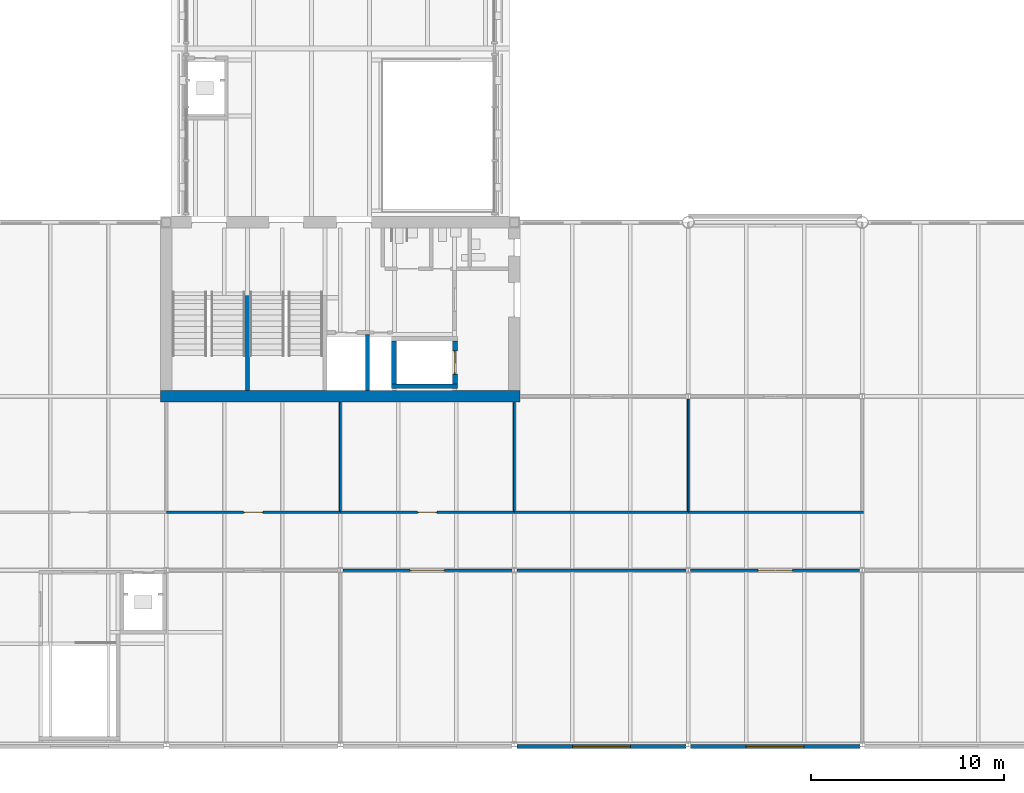
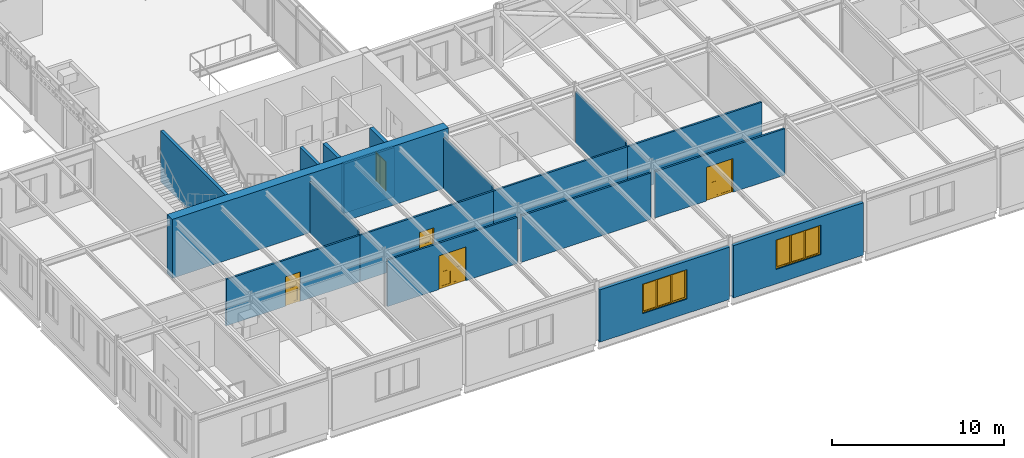
# One storey, part 61 of 123: 18 walls, 5 doors, 2 windows, 7 openings.
"""IFC4 building model written with IfcOpenShell, lengths in metres."""

from ifc_helpers import new_model, si_unit, direction, frame, frame_2d, origin, place, context, subcontext, project, spatial, polyline, rectangle, outline, extrude, material, layer, layer_set, type_object, element, fill, save


model = new_model("IFC4")

# Units and contexts
model_context = context("Model", 3, precision=1e-05, world=origin(), true_north=direction((0.0, 1.0)))
body_context = subcontext(model_context, "Body", "Model", "MODEL_VIEW")
ifc_project = project(units=[si_unit("LENGTHUNIT", "METRE"), si_unit("AREAUNIT", "SQUARE_METRE"), si_unit("VOLUMEUNIT", "CUBIC_METRE"), si_unit("PLANEANGLEUNIT", "RADIAN"), si_unit("MASSUNIT", "GRAM", prefix="KILO")], contexts=[model_context])

# Site, building, storey
site_placement = place(None, origin())
site = spatial("IfcSite", under=ifc_project, at=site_placement, CompositionType="ELEMENT")
building_placement = place(site_placement, origin())
building = spatial("IfcBuilding", under=site, at=building_placement, Name="Baradari Gate Terminus", CompositionType="ELEMENT")
storey_placement = place(building_placement, frame((0.0, 0.0, 7.5)))
storey = spatial("IfcBuildingStorey", under=building, at=storey_placement, Name="L01", CompositionType="ELEMENT", Elevation=7.5)

# Wall
ifc_material_1 = material(Name="Concrete C40/50", Category="concrete")
ifc_layer_1 = layer(ifc_material_1, 0.60009765625)
ifc_layer_set_1 = layer_set([ifc_layer_1], Name="Concrete C40/50")
wall_type_1 = type_object("IfcWallType", Name="Abutment core wall CWL04 600", PredefinedType="SOLIDWALL", material=ifc_layer_set_1)
wall_1_placement = place(storey_placement, frame((71.699951171875, 27.0, 0.0), z_axis=(0.0, 0.0, 1.0), x_axis=(1.0, 0.0, 0.0)))
element("IfcWall", 1, at=wall_1_placement, inside=storey, type_object=wall_type_1, Name="Abutment core wall GS S L01", PredefinedType="SOLIDWALL", context=body_context, shape_type="SweptSolid", body=[
    extrude(rectangle(XDim=18.60009765625, YDim=0.60009765625, at=frame_2d((9.300048828125, 0.0))), origin(), (0.0, 0.0, 1.0), 4.199951171875),
])

# Wall, opening, door
ifc_material_2 = material(Name="Gypsum board")
ifc_layer_2 = layer(ifc_material_2, 0.125)
ifc_layer_set_2 = layer_set([ifc_layer_2], Name="Gypsum board")
wall_type_2 = type_object("IfcWallType", Name="Corridor partition PT-5 125 EI 30", PredefinedType="PARTITIONING", material=ifc_layer_set_2)
wall_2_placement = place(storey_placement, frame((107.871826171875, 18.0, 0.0), z_axis=(0.0, 0.0, 1.0), x_axis=(-1.0, 0.0, 0.0)))
wall_2 = element("IfcWall", 2, at=wall_2_placement, inside=storey, type_object=wall_type_2, Name="PT-5 partition Corridor (Service Corridor South) / South Wing Lounge", PredefinedType="PARTITIONING", context=body_context, shape_type="SweptSolid", body=[
    extrude(rectangle(XDim=8.74365234375, YDim=0.125, at=frame_2d((4.371826171875, 0.0))), origin(), (0.0, 0.0, 1.0), 3.306884765625),
])
opening_1_placement = place(wall_2_placement, frame((3.471923828125, 0.0, 0.0)))
opening_1 = element("IfcOpeningElement", 3, at=opening_1_placement, cuts=wall_2, Name="Opening D01-082", PredefinedType="OPENING", context=body_context, shape_type="SweptSolid", body=[
    extrude(rectangle(XDim=1.800048828125, YDim=2.39990234375, at=frame_2d((0.89990234375, 1.199951171875))), frame((0.0, 0.072509765625, 0.0), z_axis=(0.0, -1.0, 0.0), x_axis=(1.0, 0.0, 0.0)), (0.0, 0.0, 1.0), 0.14501953125),
])
ifc_material_3 = material(Name="Steel S275", Category="steel")
door_type_1 = type_object("IfcDoorType", Name="Fire door FI-1800x2400-FD30S 1800x2400 FD30S", OperationType="DOUBLE_DOOR_SINGLE_SWING", PredefinedType="DOOR", material=ifc_material_3)
door_1_placement = place(opening_1_placement, frame((1.800048828125, 0.0, 0.0), z_axis=(0.0, 0.0, 1.0), x_axis=(-1.0, 0.0, 0.0)))
door_1 = element("IfcDoor", 4, at=door_1_placement, inside=storey, type_object=door_type_1, Name="Door South Wing Lounge", OperationType="DOUBLE_DOOR_SINGLE_SWING", OverallHeight=2.4, OverallWidth=1.8, PredefinedType="DOOR", context=body_context, shape_type="SweptSolid", body=[
    extrude(outline(polyline([(0.0, 0.0), (0.070068359375, 0.0), (0.070068359375, 2.329833984375), (1.72998046875, 2.329833984375), (1.72998046875, 0.0), (1.800048828125, 0.0), (1.800048828125, 2.39990234375), (0.0, 2.39990234375), (0.0, 0.0)])), frame((0.0, 0.02490234375, 0.0), z_axis=(0.0, -1.0, 0.0), x_axis=(1.0, 0.0, 0.0)), (0.0, 0.0, 1.0), 0.050048828125),
    extrude(outline(polyline([(0.073974609375, 0.010009765625), (0.89697265625, 0.010009765625), (0.89697265625, 2.325927734375), (0.073974609375, 2.325927734375), (0.073974609375, 0.010009765625)]), holes=[polyline([(0.194091796875, 0.159912109375), (0.77685546875, 0.159912109375), (0.77685546875, 1.010009765625), (0.194091796875, 1.010009765625), (0.194091796875, 0.159912109375)]), polyline([(0.33544921875, 1.159912109375), (0.635498046875, 1.159912109375), (0.635498046875, 1.760009765625), (0.33544921875, 1.760009765625), (0.33544921875, 1.159912109375)])]), frame((0.0, 0.017333984375, 0.0), z_axis=(0.0, -1.0, 0.0), x_axis=(1.0, 0.0, 0.0)), (0.0, 0.0, 1.0), 0.034912109375),
    extrude(rectangle(XDim=0.582763671875, YDim=0.85009765625, at=frame_2d((0.4853515625, 0.5849609375))), frame((0.0, 0.008544921875, 0.0), z_axis=(0.0, -1.0, 0.0), x_axis=(1.0, 0.0, 0.0)), (0.0, 0.0, 1.0), 0.017333984375),
    extrude(rectangle(XDim=0.300048828125, YDim=0.60009765625, at=frame_2d((0.4853515625, 1.4599609375))), frame((0.0, 0.005859375, 0.0), z_axis=(0.0, -1.0, 0.0), x_axis=(1.0, 0.0, 0.0)), (0.0, 0.0, 1.0), 0.011962890625),
    extrude(outline(polyline([(0.903076171875, 0.010009765625), (1.72607421875, 0.010009765625), (1.72607421875, 2.325927734375), (0.903076171875, 2.325927734375), (0.903076171875, 0.010009765625)]), holes=[polyline([(1.023193359375, 0.159912109375), (1.60595703125, 0.159912109375), (1.60595703125, 1.010009765625), (1.023193359375, 1.010009765625), (1.023193359375, 0.159912109375)]), polyline([(1.16455078125, 1.159912109375), (1.464599609375, 1.159912109375), (1.464599609375, 1.760009765625), (1.16455078125, 1.760009765625), (1.16455078125, 1.159912109375)])]), frame((0.0, 0.017333984375, 0.0), z_axis=(0.0, -1.0, 0.0), x_axis=(1.0, 0.0, 0.0)), (0.0, 0.0, 1.0), 0.034912109375),
    extrude(rectangle(XDim=0.582763671875, YDim=0.85009765625, at=frame_2d((1.314453125, 0.5849609375))), frame((0.0, 0.008544921875, 0.0), z_axis=(0.0, -1.0, 0.0), x_axis=(1.0, 0.0, 0.0)), (0.0, 0.0, 1.0), 0.017333984375),
    extrude(rectangle(XDim=0.300048828125, YDim=0.60009765625, at=frame_2d((1.314453125, 1.4599609375))), frame((0.0, 0.005859375, 0.0), z_axis=(0.0, -1.0, 0.0), x_axis=(1.0, 0.0, 0.0)), (0.0, 0.0, 1.0), 0.011962890625),
])
fill(opening_1, door_1)

# Wall
wall_3_placement = place(storey_placement, frame((98.871826171875, 18.0, 0.0), z_axis=(0.0, 0.0, 1.0), x_axis=(-1.0, 0.0, 0.0)))
element("IfcWall", 5, at=wall_3_placement, inside=storey, type_object=wall_type_2, Name="PT-5 partition Corridor (Service Corridor South) / South Wing Lounge", PredefinedType="PARTITIONING", context=body_context, shape_type="SweptSolid", body=[
    extrude(rectangle(XDim=8.74365234375, YDim=0.125, at=frame_2d((4.371826171875, 0.0))), origin(), (0.0, 0.0, 1.0), 3.306884765625),
])

# Wall, opening, door
wall_4_placement = place(storey_placement, frame((89.871826171875, 18.0, 0.0), z_axis=(0.0, 0.0, 1.0), x_axis=(-1.0, 0.0, 0.0)))
wall_4 = element("IfcWall", 6, at=wall_4_placement, inside=storey, type_object=wall_type_2, Name="PT-5 partition Corridor (Service Corridor South) / South Wing Lounge", PredefinedType="PARTITIONING", context=body_context, shape_type="SweptSolid", body=[
    extrude(rectangle(XDim=8.74365234375, YDim=0.125, at=frame_2d((4.371826171875, 0.0))), origin(), (0.0, 0.0, 1.0), 3.306884765625),
])
opening_2_placement = place(wall_4_placement, frame((3.471923828125, 0.0, 0.0)))
opening_2 = element("IfcOpeningElement", 7, at=opening_2_placement, cuts=wall_4, Name="Opening D01-081", PredefinedType="OPENING", context=body_context, shape_type="SweptSolid", body=[
    extrude(rectangle(XDim=1.800048828125, YDim=2.39990234375, at=frame_2d((0.89990234375, 1.199951171875))), frame((0.0, 0.072509765625, 0.0), z_axis=(0.0, -1.0, 0.0), x_axis=(1.0, 0.0, 0.0)), (0.0, 0.0, 1.0), 0.14501953125),
])
door_2_placement = place(opening_2_placement, frame((1.800048828125, 0.0, 0.0), z_axis=(0.0, 0.0, 1.0), x_axis=(-1.0, 0.0, 0.0)))
door_2 = element("IfcDoor", 8, at=door_2_placement, inside=storey, type_object=door_type_1, Name="Door South Wing Lounge", OperationType="DOUBLE_DOOR_SINGLE_SWING", OverallHeight=2.4, OverallWidth=1.8, PredefinedType="DOOR", context=body_context, shape_type="SweptSolid", body=[
    extrude(outline(polyline([(0.0, 0.0), (0.070068359375, 0.0), (0.070068359375, 2.329833984375), (1.72998046875, 2.329833984375), (1.72998046875, 0.0), (1.800048828125, 0.0), (1.800048828125, 2.39990234375), (0.0, 2.39990234375), (0.0, 0.0)])), frame((0.0, 0.02490234375, 0.0), z_axis=(0.0, -1.0, 0.0), x_axis=(1.0, 0.0, 0.0)), (0.0, 0.0, 1.0), 0.050048828125),
    extrude(outline(polyline([(0.073974609375, 0.010009765625), (0.89697265625, 0.010009765625), (0.89697265625, 2.325927734375), (0.073974609375, 2.325927734375), (0.073974609375, 0.010009765625)]), holes=[polyline([(0.194091796875, 0.159912109375), (0.77685546875, 0.159912109375), (0.77685546875, 1.010009765625), (0.194091796875, 1.010009765625), (0.194091796875, 0.159912109375)]), polyline([(0.33544921875, 1.159912109375), (0.635498046875, 1.159912109375), (0.635498046875, 1.760009765625), (0.33544921875, 1.760009765625), (0.33544921875, 1.159912109375)])]), frame((0.0, 0.017333984375, 0.0), z_axis=(0.0, -1.0, 0.0), x_axis=(1.0, 0.0, 0.0)), (0.0, 0.0, 1.0), 0.034912109375),
    extrude(rectangle(XDim=0.582763671875, YDim=0.85009765625, at=frame_2d((0.4853515625, 0.5849609375))), frame((0.0, 0.008544921875, 0.0), z_axis=(0.0, -1.0, 0.0), x_axis=(1.0, 0.0, 0.0)), (0.0, 0.0, 1.0), 0.017333984375),
    extrude(rectangle(XDim=0.300048828125, YDim=0.60009765625, at=frame_2d((0.4853515625, 1.4599609375))), frame((0.0, 0.005859375, 0.0), z_axis=(0.0, -1.0, 0.0), x_axis=(1.0, 0.0, 0.0)), (0.0, 0.0, 1.0), 0.011962890625),
    extrude(outline(polyline([(0.903076171875, 0.010009765625), (1.72607421875, 0.010009765625), (1.72607421875, 2.325927734375), (0.903076171875, 2.325927734375), (0.903076171875, 0.010009765625)]), holes=[polyline([(1.023193359375, 0.159912109375), (1.60595703125, 0.159912109375), (1.60595703125, 1.010009765625), (1.023193359375, 1.010009765625), (1.023193359375, 0.159912109375)]), polyline([(1.16455078125, 1.159912109375), (1.464599609375, 1.159912109375), (1.464599609375, 1.760009765625), (1.16455078125, 1.760009765625), (1.16455078125, 1.159912109375)])]), frame((0.0, 0.017333984375, 0.0), z_axis=(0.0, -1.0, 0.0), x_axis=(1.0, 0.0, 0.0)), (0.0, 0.0, 1.0), 0.034912109375),
    extrude(rectangle(XDim=0.582763671875, YDim=0.85009765625, at=frame_2d((1.314453125, 0.5849609375))), frame((0.0, 0.008544921875, 0.0), z_axis=(0.0, -1.0, 0.0), x_axis=(1.0, 0.0, 0.0)), (0.0, 0.0, 1.0), 0.017333984375),
    extrude(rectangle(XDim=0.300048828125, YDim=0.60009765625, at=frame_2d((1.314453125, 1.4599609375))), frame((0.0, 0.005859375, 0.0), z_axis=(0.0, -1.0, 0.0), x_axis=(1.0, 0.0, 0.0)), (0.0, 0.0, 1.0), 0.011962890625),
])
fill(opening_2, door_2)

# Walls
wall_5_placement = place(storey_placement, frame((90.0, 21.0, 0.0), z_axis=(0.0, 0.0, 1.0), x_axis=(1.0, 0.0, 0.0)))
element("IfcWall", 9, at=wall_5_placement, inside=storey, type_object=wall_type_2, Name="PT-5 partition Corridor (Service Corridor South) / South Wing Office 3", PredefinedType="PARTITIONING", context=body_context, shape_type="SweptSolid", body=[
    extrude(rectangle(XDim=9.0, YDim=0.125, at=frame_2d((4.5, 0.0))), origin(), (0.0, 0.0, 1.0), 3.306884765625),
])
wall_6_placement = place(storey_placement, frame((99.0, 21.0, 0.0), z_axis=(0.0, 0.0, 1.0), x_axis=(1.0, 0.0, 0.0)))
element("IfcWall", 10, at=wall_6_placement, inside=storey, type_object=wall_type_2, Name="PT-5 partition Corridor (Service Corridor South) / South Wing Office 4", PredefinedType="PARTITIONING", context=body_context, shape_type="SweptSolid", body=[
    extrude(rectangle(XDim=9.0625, YDim=0.125, at=frame_2d((4.53125, 0.0))), origin(), (0.0, 0.0, 1.0), 3.306884765625),
])

# Wall, opening, door
wall_7_placement = place(storey_placement, frame((81.0, 21.0, 0.0), z_axis=(0.0, 0.0, 1.0), x_axis=(1.0, 0.0, 0.0)))
wall_7 = element("IfcWall", 11, at=wall_7_placement, inside=storey, type_object=wall_type_2, Name="PT-5 partition Corridor (Service Corridor South) / South Wing Office 2", PredefinedType="PARTITIONING", context=body_context, shape_type="SweptSolid", body=[
    extrude(rectangle(XDim=9.0, YDim=0.125, at=frame_2d((4.5, 0.0))), origin(), (0.0, 0.0, 1.0), 3.306884765625),
])
opening_3_placement = place(wall_7_placement, frame((4.0, 0.0, 0.0)))
opening_3 = element("IfcOpeningElement", 12, at=opening_3_placement, cuts=wall_7, Name="Opening D01-071", PredefinedType="OPENING", context=body_context, shape_type="SweptSolid", body=[
    extrude(rectangle(XDim=1.0, YDim=2.10009765625, at=frame_2d((0.5, 1.050048828125))), frame((0.0, 0.072509765625, 0.0), z_axis=(0.0, -1.0, 0.0), x_axis=(1.0, 0.0, 0.0)), (0.0, 0.0, 1.0), 0.14501953125),
])
ifc_material_4 = material(Name="Steel S275", Category="steel")
door_type_2 = type_object("IfcDoorType", Name="Fire door FI-1000-FD30S 1000x2100 FD30S", OperationType="SINGLE_SWING_LEFT", PredefinedType="DOOR", material=ifc_material_4)
door_3_placement = place(opening_3_placement, origin())
door_3 = element("IfcDoor", 13, at=door_3_placement, inside=storey, type_object=door_type_2, Name="Door South Wing Office 2", OperationType="SINGLE_SWING_LEFT", OverallHeight=2.1, OverallWidth=1.0, PredefinedType="DOOR", context=body_context, shape_type="SweptSolid", body=[
    extrude(outline(polyline([(0.0, 0.0), (0.070068359375, 0.0), (0.070068359375, 2.030029296875), (0.929931640625, 2.030029296875), (0.929931640625, 0.0), (1.0, 0.0), (1.0, 2.10009765625), (0.0, 2.10009765625), (0.0, 0.0)])), frame((0.0, 0.02490234375, 0.0), z_axis=(0.0, -1.0, 0.0), x_axis=(1.0, 0.0, 0.0)), (0.0, 0.0, 1.0), 0.050048828125),
    extrude(outline(polyline([(0.073974609375, 0.010009765625), (0.926025390625, 0.010009765625), (0.926025390625, 2.026123046875), (0.073974609375, 2.026123046875), (0.073974609375, 0.010009765625)]), holes=[polyline([(0.194091796875, 0.159912109375), (0.805908203125, 0.159912109375), (0.805908203125, 1.010009765625), (0.194091796875, 1.010009765625), (0.194091796875, 0.159912109375)]), polyline([(0.35009765625, 1.159912109375), (0.64990234375, 1.159912109375), (0.64990234375, 1.760009765625), (0.35009765625, 1.760009765625), (0.35009765625, 1.159912109375)])]), frame((0.0, 0.017333984375, 0.0), z_axis=(0.0, -1.0, 0.0), x_axis=(1.0, 0.0, 0.0)), (0.0, 0.0, 1.0), 0.034912109375),
    extrude(rectangle(XDim=0.61181640625, YDim=0.85009765625, at=frame_2d((0.5, 0.5849609375))), frame((0.0, 0.008544921875, 0.0), z_axis=(0.0, -1.0, 0.0), x_axis=(1.0, 0.0, 0.0)), (0.0, 0.0, 1.0), 0.017333984375),
    extrude(rectangle(XDim=0.2998046875, YDim=0.60009765625, at=frame_2d((0.5, 1.4599609375))), frame((0.0, 0.005859375, 0.0), z_axis=(0.0, -1.0, 0.0), x_axis=(1.0, 0.0, 0.0)), (0.0, 0.0, 1.0), 0.011962890625),
])
fill(opening_3, door_3)

wall_8_placement = place(storey_placement, frame((72.0, 21.0, 0.0), z_axis=(0.0, 0.0, 1.0), x_axis=(1.0, 0.0, 0.0)))
wall_8 = element("IfcWall", 14, at=wall_8_placement, inside=storey, type_object=wall_type_2, Name="PT-5 partition Corridor (Service Corridor South) / South Wing Office 1", PredefinedType="PARTITIONING", context=body_context, shape_type="SweptSolid", body=[
    extrude(rectangle(XDim=9.0, YDim=0.125, at=frame_2d((4.5, 0.0))), origin(), (0.0, 0.0, 1.0), 3.306884765625),
])
opening_4_placement = place(wall_8_placement, frame((4.0, 0.0, 0.0)))
opening_4 = element("IfcOpeningElement", 15, at=opening_4_placement, cuts=wall_8, Name="Opening D01-070", PredefinedType="OPENING", context=body_context, shape_type="SweptSolid", body=[
    extrude(rectangle(XDim=1.0, YDim=2.10009765625, at=frame_2d((0.5, 1.050048828125))), frame((0.0, 0.072509765625, 0.0), z_axis=(0.0, -1.0, 0.0), x_axis=(1.0, 0.0, 0.0)), (0.0, 0.0, 1.0), 0.14501953125),
])
door_4_placement = place(opening_4_placement, origin())
door_4 = element("IfcDoor", 16, at=door_4_placement, inside=storey, type_object=door_type_2, Name="Door South Wing Office 1", OperationType="SINGLE_SWING_LEFT", OverallHeight=2.1, OverallWidth=1.0, PredefinedType="DOOR", context=body_context, shape_type="SweptSolid", body=[
    extrude(outline(polyline([(0.0, 0.0), (0.070068359375, 0.0), (0.070068359375, 2.030029296875), (0.929931640625, 2.030029296875), (0.929931640625, 0.0), (1.0, 0.0), (1.0, 2.10009765625), (0.0, 2.10009765625), (0.0, 0.0)])), frame((0.0, 0.02490234375, 0.0), z_axis=(0.0, -1.0, 0.0), x_axis=(1.0, 0.0, 0.0)), (0.0, 0.0, 1.0), 0.050048828125),
    extrude(outline(polyline([(0.073974609375, 0.010009765625), (0.926025390625, 0.010009765625), (0.926025390625, 2.026123046875), (0.073974609375, 2.026123046875), (0.073974609375, 0.010009765625)]), holes=[polyline([(0.194091796875, 0.159912109375), (0.805908203125, 0.159912109375), (0.805908203125, 1.010009765625), (0.194091796875, 1.010009765625), (0.194091796875, 0.159912109375)]), polyline([(0.35009765625, 1.159912109375), (0.64990234375, 1.159912109375), (0.64990234375, 1.760009765625), (0.35009765625, 1.760009765625), (0.35009765625, 1.159912109375)])]), frame((0.0, 0.017333984375, 0.0), z_axis=(0.0, -1.0, 0.0), x_axis=(1.0, 0.0, 0.0)), (0.0, 0.0, 1.0), 0.034912109375),
    extrude(rectangle(XDim=0.61181640625, YDim=0.85009765625, at=frame_2d((0.5, 0.5849609375))), frame((0.0, 0.008544921875, 0.0), z_axis=(0.0, -1.0, 0.0), x_axis=(1.0, 0.0, 0.0)), (0.0, 0.0, 1.0), 0.017333984375),
    extrude(rectangle(XDim=0.2998046875, YDim=0.60009765625, at=frame_2d((0.5, 1.4599609375))), frame((0.0, 0.005859375, 0.0), z_axis=(0.0, -1.0, 0.0), x_axis=(1.0, 0.0, 0.0)), (0.0, 0.0, 1.0), 0.011962890625),
])
fill(opening_4, door_4)

# Walls
ifc_material_5 = material(Name="Concrete C32/40", Category="concrete")
ifc_layer_3 = layer(ifc_material_5, 0.25)
ifc_layer_set_3 = layer_set([ifc_layer_3], Name="Concrete C32/40")
wall_type_3 = type_object("IfcWallType", Name="Firefighting lift shaft wall SH-2 250 EI 120", PredefinedType="SOLIDWALL", material=ifc_layer_set_3)
wall_9_placement = place(storey_placement, frame((83.64990234375, 27.52490234375, 0.0), z_axis=(0.0, 0.0, 1.0), x_axis=(1.0, 0.0, 0.0)))
element("IfcWall", 17, at=wall_9_placement, inside=storey, type_object=wall_type_3, Name="Lift shaft wall LGS2 L01 S", PredefinedType="SOLIDWALL", context=body_context, shape_type="SweptSolid", body=[
    extrude(rectangle(XDim=3.400146484375, YDim=0.25, at=frame_2d((1.7001953125, 0.0))), origin(), (0.0, 0.0, 1.0), 3.51611328125),
])
wall_10_placement = place(storey_placement, frame((83.77490234375, 27.64990234375, 0.0), z_axis=(0.0, 0.0, 1.0), x_axis=(0.0, 1.0, 0.0)))
element("IfcWall", 18, at=wall_10_placement, inside=storey, type_object=wall_type_3, Name="Lift shaft wall LGS2 L01 W", PredefinedType="SOLIDWALL", context=body_context, shape_type="SweptSolid", body=[
    extrude(rectangle(XDim=2.2001953125, YDim=0.25, at=frame_2d((1.10009765625, 0.0))), origin(), (0.0, 0.0, 1.0), 3.51611328125),
])

# Wall, opening, door
wall_11_placement = place(storey_placement, frame((86.925048828125, 27.64990234375, 0.0), z_axis=(0.0, 0.0, 1.0), x_axis=(0.0, 1.0, 0.0)))
wall_11 = element("IfcWall", 19, at=wall_11_placement, inside=storey, type_object=wall_type_3, Name="Lift shaft wall LGS2 L01 E", PredefinedType="SOLIDWALL", context=body_context, shape_type="SweptSolid", body=[
    extrude(rectangle(XDim=2.2001953125, YDim=0.25, at=frame_2d((1.10009765625, 0.0))), origin(), (0.0, 0.0, 1.0), 3.51611328125),
])
opening_5_placement = place(wall_11_placement, frame((0.5, 0.0, 0.0)))
opening_5 = element("IfcOpeningElement", 20, at=opening_5_placement, cuts=wall_11, Name="Opening D01-004", PredefinedType="OPENING", context=body_context, shape_type="SweptSolid", body=[
    extrude(rectangle(XDim=1.199951171875, YDim=2.10009765625, at=frame_2d((0.60009765625, 1.050048828125))), frame((0.0, 0.135009765625, 0.0), z_axis=(0.0, -1.0, 0.0), x_axis=(1.0, 0.0, 0.0)), (0.0, 0.0, 1.0), 0.27001953125),
])
ifc_material_6 = material(Name="Stainless steel 1.4301", Category="steel")
door_type_3 = type_object("IfcDoorType", Name="Lift landing door LD2 1200x2100 E 120", OperationType="SLIDING_TO_LEFT", PredefinedType="DOOR", material=ifc_material_6)
door_5_placement = place(opening_5_placement, origin())
door_5 = element("IfcDoor", 21, at=door_5_placement, inside=storey, type_object=door_type_3, Name="Lift landing door LGS2 L01", OperationType="SLIDING_TO_LEFT", OverallHeight=2.1, OverallWidth=1.2, PredefinedType="DOOR", context=body_context, shape_type="SweptSolid", body=[
    extrude(outline(polyline([(0.0, 0.0), (0.070068359375, 0.0), (0.070068359375, 2.030029296875), (1.1298828125, 2.030029296875), (1.1298828125, 0.0), (1.199951171875, 0.0), (1.199951171875, 2.10009765625), (0.0, 2.10009765625), (0.0, 0.0)])), frame((0.0, 0.02490234375, 0.0), z_axis=(0.0, -1.0, 0.0), x_axis=(1.0, 0.0, 0.0)), (0.0, 0.0, 1.0), 0.050048828125),
    extrude(rectangle(XDim=0.57861328125, YDim=2.01611328125, at=frame_2d((0.36328125, 1.01806640625))), frame((0.0, 0.017822265625, 0.0), z_axis=(0.0, -1.0, 0.0), x_axis=(1.0, 0.0, 0.0)), (0.0, 0.0, 1.0), 0.015869140625),
    extrude(rectangle(XDim=0.57470703125, YDim=2.01611328125, at=frame_2d((0.838623046875, 1.01806640625))), frame((0.0, -0.002197265625, 0.0), z_axis=(0.0, -1.0, 0.0), x_axis=(1.0, 0.0, 0.0)), (0.0, 0.0, 1.0), 0.015869140625),
])
fill(opening_5, door_5)

# Wall, opening, window
ifc_material_7 = material(Name="Light ochre laterite masonry", Category="masonry")
ifc_layer_4 = layer(ifc_material_7, 0.219970703125)
ifc_layer_set_4 = layer_set([ifc_layer_4], Name="Light ochre laterite masonry")
wall_type_4 = type_object("IfcWallType", Name="Laterite masonry wall WP-2 220", PredefinedType="SOLIDWALL", material=ifc_layer_set_4)
wall_12_placement = place(storey_placement, frame((90.127197265625, 8.880126953125, -0.1298828125), z_axis=(0.0, 0.0, 1.0), x_axis=(1.0, 0.0, 0.0)))
wall_12 = element("IfcWall", 22, at=wall_12_placement, inside=storey, type_object=wall_type_4, Name="south front wall SS bay 11 L01", PredefinedType="SOLIDWALL", context=body_context, shape_type="SweptSolid", body=[
    extrude(rectangle(XDim=8.74560546875, YDim=0.219970703125, at=frame_2d((4.372802734375, 0.0))), origin(), (0.0, 0.0, 1.0), 3.7265625),
])
opening_6_placement = place(wall_12_placement, frame((2.872802734375, 0.0, 1.030029296875)))
opening_6 = element("IfcOpeningElement", 23, at=opening_6_placement, cuts=wall_12, Name="Opening W5", PredefinedType="OPENING", context=body_context, shape_type="SweptSolid", body=[
    extrude(rectangle(XDim=3.0, YDim=2.10009765625, at=frame_2d((1.5, 1.050048828125))), frame((0.0, 0.119873046875, 0.0), z_axis=(0.0, -1.0, 0.0), x_axis=(1.0, 0.0, 0.0)), (0.0, 0.0, 1.0), 0.239990234375),
])
ifc_material_8 = material(Name="Aluminium 6063-T6", Category="aluminium")
window_type = type_object("IfcWindowType", Name="Wide window, 4-light W5 3000x2100", PartitioningType="TRIPLE_PANEL_VERTICAL", PredefinedType="WINDOW", material=ifc_material_8)
window_1_placement = place(opening_6_placement, origin())
window_1 = element("IfcWindow", 24, at=window_1_placement, inside=storey, type_object=window_type, Name="Window W5 SS/10", OverallHeight=2.1, OverallWidth=3.0, PartitioningType="TRIPLE_PANEL_VERTICAL", PredefinedType="WINDOW", context=body_context, shape_type="SweptSolid", body=[
    extrude(outline(polyline([(0.0, 0.0), (3.0, 0.0), (3.0, 2.10009765625), (0.0, 2.10009765625), (0.0, 0.0)]), holes=[polyline([(0.070068359375, 0.070068359375), (2.929931640625, 0.070068359375), (2.929931640625, 2.030029296875), (0.070068359375, 2.030029296875), (0.070068359375, 0.070068359375)])]), frame((0.0, 0.030029296875, 0.0), z_axis=(0.0, -1.0, 0.0), x_axis=(1.0, 0.0, 0.0)), (0.0, 0.0, 1.0), 0.06005859375),
    extrude(rectangle(XDim=0.0400390625, YDim=1.9599609375, at=frame_2d((1.0166015625, 1.050048828125))), frame((0.0, 0.02197265625, 0.0), z_axis=(0.0, -1.0, 0.0), x_axis=(1.0, 0.0, 0.0)), (0.0, 0.0, 1.0), 0.0439453125),
    extrude(rectangle(XDim=0.0400390625, YDim=1.9599609375, at=frame_2d((1.9833984375, 1.050048828125))), frame((0.0, 0.02197265625, 0.0), z_axis=(0.0, -1.0, 0.0), x_axis=(1.0, 0.0, 0.0)), (0.0, 0.0, 1.0), 0.0439453125),
    extrude(outline(polyline([(0.070068359375, 0.070068359375), (0.99658203125, 0.070068359375), (0.99658203125, 2.030029296875), (0.070068359375, 2.030029296875), (0.070068359375, 0.070068359375)]), holes=[polyline([(0.10009765625, 0.10009765625), (0.966552734375, 0.10009765625), (0.966552734375, 2.0), (0.10009765625, 2.0), (0.10009765625, 0.10009765625)])]), frame((0.0, 0.0224609375, 0.0), z_axis=(0.0, -1.0, 0.0), x_axis=(1.0, 0.0, 0.0)), (0.0, 0.0, 1.0), 0.044921875),
    extrude(rectangle(XDim=0.866455078125, YDim=1.89990234375, at=frame_2d((0.533203125, 1.050048828125))), frame((0.0, 0.006103515625, 0.0), z_axis=(0.0, -1.0, 0.0), x_axis=(1.0, 0.0, 0.0)), (0.0, 0.0, 1.0), 0.01220703125),
    extrude(outline(polyline([(1.03662109375, 0.070068359375), (1.96337890625, 0.070068359375), (1.96337890625, 2.030029296875), (1.03662109375, 2.030029296875), (1.03662109375, 0.070068359375)]), holes=[polyline([(1.066650390625, 0.10009765625), (1.933349609375, 0.10009765625), (1.933349609375, 2.0), (1.066650390625, 2.0), (1.066650390625, 0.10009765625)])]), frame((0.0, 0.0224609375, 0.0), z_axis=(0.0, -1.0, 0.0), x_axis=(1.0, 0.0, 0.0)), (0.0, 0.0, 1.0), 0.044921875),
    extrude(rectangle(XDim=0.86669921875, YDim=1.89990234375, at=frame_2d((1.5, 1.050048828125))), frame((0.0, 0.006103515625, 0.0), z_axis=(0.0, -1.0, 0.0), x_axis=(1.0, 0.0, 0.0)), (0.0, 0.0, 1.0), 0.01220703125),
    extrude(outline(polyline([(2.00341796875, 0.070068359375), (2.929931640625, 0.070068359375), (2.929931640625, 2.030029296875), (2.00341796875, 2.030029296875), (2.00341796875, 0.070068359375)]), holes=[polyline([(2.033447265625, 0.10009765625), (2.89990234375, 0.10009765625), (2.89990234375, 2.0), (2.033447265625, 2.0), (2.033447265625, 0.10009765625)])]), frame((0.0, 0.0224609375, 0.0), z_axis=(0.0, -1.0, 0.0), x_axis=(1.0, 0.0, 0.0)), (0.0, 0.0, 1.0), 0.044921875),
    extrude(rectangle(XDim=0.866455078125, YDim=1.89990234375, at=frame_2d((2.466796875, 1.050048828125))), frame((0.0, 0.006103515625, 0.0), z_axis=(0.0, -1.0, 0.0), x_axis=(1.0, 0.0, 0.0)), (0.0, 0.0, 1.0), 0.01220703125),
])
fill(opening_6, window_1)

wall_13_placement = place(storey_placement, frame((99.127197265625, 8.880126953125, -0.1298828125), z_axis=(0.0, 0.0, 1.0), x_axis=(1.0, 0.0, 0.0)))
wall_13 = element("IfcWall", 25, at=wall_13_placement, inside=storey, type_object=wall_type_4, Name="south front wall SS bay 12 L01", PredefinedType="SOLIDWALL", context=body_context, shape_type="SweptSolid", body=[
    extrude(rectangle(XDim=8.74560546875, YDim=0.219970703125, at=frame_2d((4.372802734375, 0.0))), origin(), (0.0, 0.0, 1.0), 3.7265625),
])
opening_7_placement = place(wall_13_placement, frame((2.872802734375, 0.0, 1.030029296875)))
opening_7 = element("IfcOpeningElement", 26, at=opening_7_placement, cuts=wall_13, Name="Opening W5", PredefinedType="OPENING", context=body_context, shape_type="SweptSolid", body=[
    extrude(rectangle(XDim=3.0, YDim=2.10009765625, at=frame_2d((1.5, 1.050048828125))), frame((0.0, 0.119873046875, 0.0), z_axis=(0.0, -1.0, 0.0), x_axis=(1.0, 0.0, 0.0)), (0.0, 0.0, 1.0), 0.239990234375),
])
window_2_placement = place(opening_7_placement, origin())
window_2 = element("IfcWindow", 27, at=window_2_placement, inside=storey, type_object=window_type, Name="Window W5 SS/11", OverallHeight=2.1, OverallWidth=3.0, PartitioningType="TRIPLE_PANEL_VERTICAL", PredefinedType="WINDOW", context=body_context, shape_type="SweptSolid", body=[
    extrude(outline(polyline([(0.0, 0.0), (3.0, 0.0), (3.0, 2.10009765625), (0.0, 2.10009765625), (0.0, 0.0)]), holes=[polyline([(0.070068359375, 0.070068359375), (2.929931640625, 0.070068359375), (2.929931640625, 2.030029296875), (0.070068359375, 2.030029296875), (0.070068359375, 0.070068359375)])]), frame((0.0, 0.030029296875, 0.0), z_axis=(0.0, -1.0, 0.0), x_axis=(1.0, 0.0, 0.0)), (0.0, 0.0, 1.0), 0.06005859375),
    extrude(rectangle(XDim=0.0400390625, YDim=1.9599609375, at=frame_2d((1.0166015625, 1.050048828125))), frame((0.0, 0.02197265625, 0.0), z_axis=(0.0, -1.0, 0.0), x_axis=(1.0, 0.0, 0.0)), (0.0, 0.0, 1.0), 0.0439453125),
    extrude(rectangle(XDim=0.0400390625, YDim=1.9599609375, at=frame_2d((1.9833984375, 1.050048828125))), frame((0.0, 0.02197265625, 0.0), z_axis=(0.0, -1.0, 0.0), x_axis=(1.0, 0.0, 0.0)), (0.0, 0.0, 1.0), 0.0439453125),
    extrude(outline(polyline([(0.070068359375, 0.070068359375), (0.99658203125, 0.070068359375), (0.99658203125, 2.030029296875), (0.070068359375, 2.030029296875), (0.070068359375, 0.070068359375)]), holes=[polyline([(0.10009765625, 0.10009765625), (0.966552734375, 0.10009765625), (0.966552734375, 2.0), (0.10009765625, 2.0), (0.10009765625, 0.10009765625)])]), frame((0.0, 0.0224609375, 0.0), z_axis=(0.0, -1.0, 0.0), x_axis=(1.0, 0.0, 0.0)), (0.0, 0.0, 1.0), 0.044921875),
    extrude(rectangle(XDim=0.866455078125, YDim=1.89990234375, at=frame_2d((0.533203125, 1.050048828125))), frame((0.0, 0.006103515625, 0.0), z_axis=(0.0, -1.0, 0.0), x_axis=(1.0, 0.0, 0.0)), (0.0, 0.0, 1.0), 0.01220703125),
    extrude(outline(polyline([(1.03662109375, 0.070068359375), (1.96337890625, 0.070068359375), (1.96337890625, 2.030029296875), (1.03662109375, 2.030029296875), (1.03662109375, 0.070068359375)]), holes=[polyline([(1.066650390625, 0.10009765625), (1.933349609375, 0.10009765625), (1.933349609375, 2.0), (1.066650390625, 2.0), (1.066650390625, 0.10009765625)])]), frame((0.0, 0.0224609375, 0.0), z_axis=(0.0, -1.0, 0.0), x_axis=(1.0, 0.0, 0.0)), (0.0, 0.0, 1.0), 0.044921875),
    extrude(rectangle(XDim=0.86669921875, YDim=1.89990234375, at=frame_2d((1.5, 1.050048828125))), frame((0.0, 0.006103515625, 0.0), z_axis=(0.0, -1.0, 0.0), x_axis=(1.0, 0.0, 0.0)), (0.0, 0.0, 1.0), 0.01220703125),
    extrude(outline(polyline([(2.00341796875, 0.070068359375), (2.929931640625, 0.070068359375), (2.929931640625, 2.030029296875), (2.00341796875, 2.030029296875), (2.00341796875, 0.070068359375)]), holes=[polyline([(2.033447265625, 0.10009765625), (2.89990234375, 0.10009765625), (2.89990234375, 2.0), (2.033447265625, 2.0), (2.033447265625, 0.10009765625)])]), frame((0.0, 0.0224609375, 0.0), z_axis=(0.0, -1.0, 0.0), x_axis=(1.0, 0.0, 0.0)), (0.0, 0.0, 1.0), 0.044921875),
    extrude(rectangle(XDim=0.866455078125, YDim=1.89990234375, at=frame_2d((2.466796875, 1.050048828125))), frame((0.0, 0.006103515625, 0.0), z_axis=(0.0, -1.0, 0.0), x_axis=(1.0, 0.0, 0.0)), (0.0, 0.0, 1.0), 0.01220703125),
])
fill(opening_7, window_2)

# Walls
ifc_material_9 = material(Name="Blockwork wall, fire rated", Category="masonry")
ifc_layer_5 = layer(ifc_material_9, 0.199951171875)
ifc_layer_set_5 = layer_set([ifc_layer_5], Name="Blockwork wall, fire rated")
wall_type_5 = type_object("IfcWallType", Name="Lift shaft wall SH-1 200 EI 120", PredefinedType="SOLIDWALL", material=ifc_layer_set_5)
wall_14_placement = place(storey_placement, frame((82.39990234375, 27.302001953125, 0.0), z_axis=(0.0, 0.0, 1.0), x_axis=(0.0, 1.0, 0.0)))
element("IfcWall", 28, at=wall_14_placement, inside=storey, type_object=wall_type_5, Name="Lift shaft wall LGS1 L01 E", PredefinedType="SOLIDWALL", context=body_context, shape_type="SweptSolid", body=[
    extrude(rectangle(XDim=2.89794921875, YDim=0.199951171875, at=frame_2d((1.448974609375, 0.0))), origin(), (0.0, 0.0, 1.0), 3.51611328125),
])
ifc_material_10 = material(Name="Gypsum board")
ifc_layer_6 = layer(ifc_material_10, 0.10009765625)
ifc_layer_set_6 = layer_set([ifc_layer_6], Name="Gypsum board")
wall_type_6 = type_object("IfcWallType", Name="Partition PT-1 100 gypsum board on steel studs", PredefinedType="PARTITIONING", material=ifc_layer_set_6)
for number, where, z_axis, x_axis, name in (
    (29, (81.0, 26.697998046875, 0.0), (0.0, 0.0, 1.0), (0.0, -1.0, 0.0), "PT-1 partition South Wing Office 1 / South Wing Office 2"),
    (30, (90.0, 26.697998046875, 0.0), (0.0, 0.0, 1.0), (0.0, -1.0, 0.0), "PT-1 partition South Wing Office 2 / South Wing Office 3"),
):
    element("IfcWall", number, at=place(storey_placement, frame(where, z_axis=z_axis, x_axis=x_axis)), inside=storey, type_object=wall_type_6, Name=name, PredefinedType="PARTITIONING", context=body_context, shape_type="SweptSolid", body=[
        extrude(rectangle(XDim=5.635498046875, YDim=0.10009765625, at=frame_2d((2.81787109375, 0.0))), origin(), (0.0, 0.0, 1.0), 3.64306640625),
    ])
wall_15_placement = place(storey_placement, frame((99.0, 26.869873046875, 0.0), z_axis=(0.0, 0.0, 1.0), x_axis=(0.0, -1.0, 0.0)))
element("IfcWall", 31, at=wall_15_placement, inside=storey, type_object=wall_type_6, Name="PT-1 partition South Wing Office 3 / South Wing Office 4", PredefinedType="PARTITIONING", context=body_context, shape_type="SweptSolid", body=[
    extrude(rectangle(XDim=5.807373046875, YDim=0.10009765625, at=frame_2d((2.90380859375, 0.0))), origin(), (0.0, 0.0, 1.0), 3.64306640625),
])
ifc_material_11 = material(Name="Concrete C40/50", Category="concrete")
ifc_layer_7 = layer(ifc_material_11, 0.199951171875)
ifc_layer_set_7 = layer_set([ifc_layer_7], Name="Concrete C40/50")
wall_type_7 = type_object("IfcWallType", Name="Stair enclosure wall SE-4 200 EI 120", PredefinedType="SOLIDWALL", material=ifc_layer_set_7)
wall_16_placement = place(storey_placement, frame((76.199951171875, 27.302001953125, -0.1298828125), z_axis=(0.0, 0.0, 1.0), x_axis=(0.0, 1.0, 0.0)))
element("IfcWall", 32, at=wall_16_placement, inside=storey, type_object=wall_type_7, Name="Stair enclosure wall SE-4 ST-GS1 L01 E", PredefinedType="SOLIDWALL", context=body_context, shape_type="SweptSolid", body=[
    extrude(rectangle(XDim=8.39599609375, YDim=0.199951171875, at=frame_2d((4.197998046875, 0.0))), origin(), (0.0, 0.0, 1.0), 3.64599609375),
])

save(model, "model.ifc")
